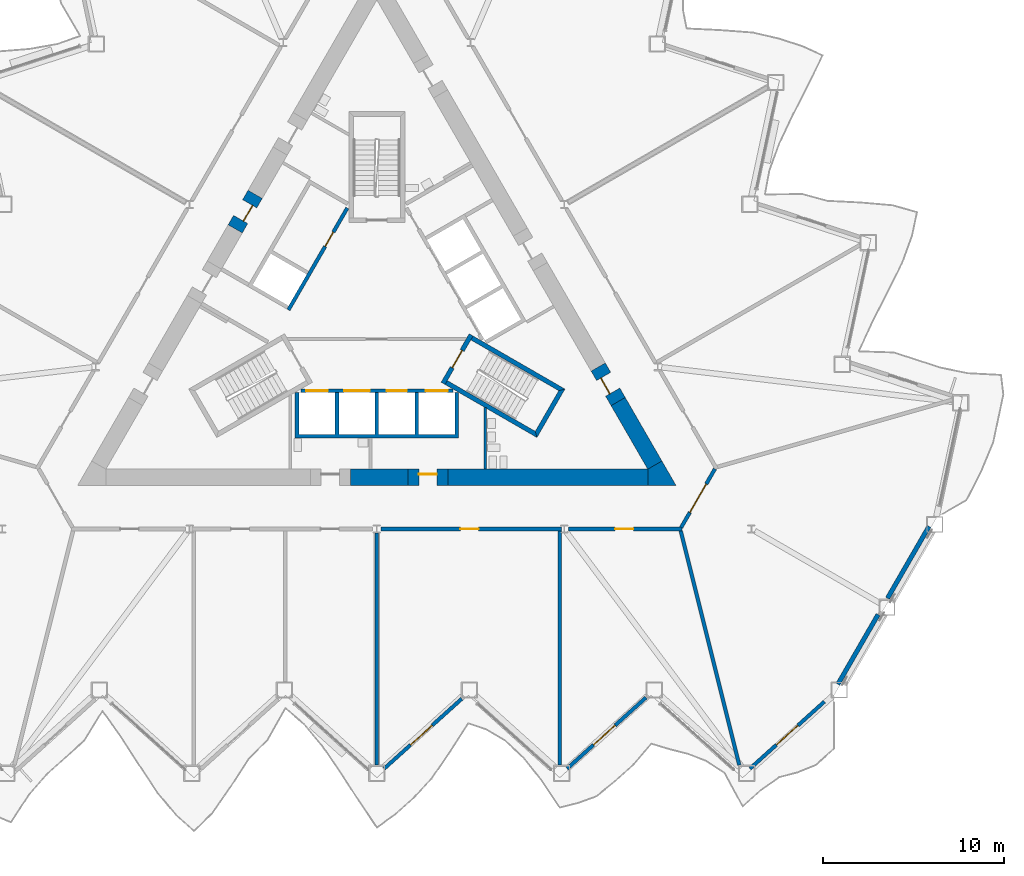
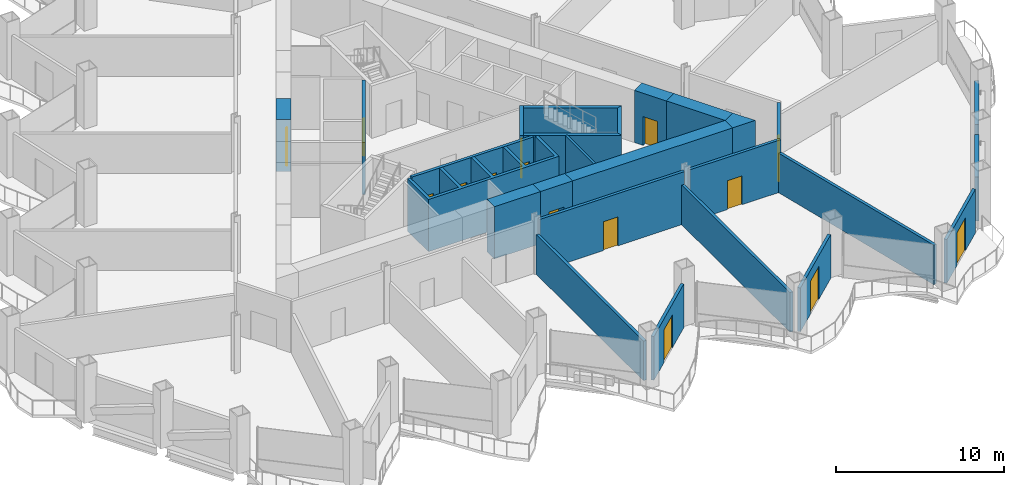
# One storey, part 11 of 21: 26 walls, 15 doors, 15 openings.
"""IFC4 building model written with IfcOpenShell, lengths in metres."""

from ifc_helpers import new_model, si_unit, direction, frame, frame_2d, origin, place, context, subcontext, project, spatial, polyline, rectangle, outline, extrude, material, layer, layer_set, type_object, element, fill, save


model = new_model("IFC4")

# Units and contexts
model_context = context("Model", 3, precision=1e-05, world=origin(), true_north=direction((0.0, 1.0)))
body_context = subcontext(model_context, "Body", "Model", "MODEL_VIEW")
ifc_project = project(units=[si_unit("LENGTHUNIT", "METRE"), si_unit("AREAUNIT", "SQUARE_METRE"), si_unit("VOLUMEUNIT", "CUBIC_METRE"), si_unit("PLANEANGLEUNIT", "RADIAN"), si_unit("MASSUNIT", "GRAM", prefix="KILO")], contexts=[model_context])

# Site, building, storey
site_placement = place(None, origin())
site = spatial("IfcSite", under=ifc_project, at=site_placement, CompositionType="ELEMENT")
building_placement = place(site_placement, origin())
building = spatial("IfcBuilding", under=site, at=building_placement, Name="Cormorant Prow Tower", CompositionType="ELEMENT")
storey_placement = place(building_placement, frame((0.0, 0.0, 133.199951171875)))
storey = spatial("IfcBuildingStorey", under=building, at=storey_placement, Name="L28", CompositionType="ELEMENT", Elevation=133.199951171875)

# Walls
ifc_material_1 = material(Name="Gypsum board partition")
ifc_layer_1 = layer(ifc_material_1, 0.14990234375)
ifc_layer_set_1 = layer_set([ifc_layer_1], Name="Gypsum board partition")
wall_type_1 = type_object("IfcWallType", Name="Core partition 150", PredefinedType="PARTITIONING", material=ifc_layer_set_1)
wall_1_placement = place(storey_placement, frame((5.9765625, -8.626220703125, 0.0), z_axis=(0.0, 0.0, 1.0), x_axis=(0.0, 1.0, 0.0)))
element("IfcWall", 1, at=wall_1_placement, inside=storey, type_object=wall_type_1, Name="Service room partition", PredefinedType="PARTITIONING", context=body_context, shape_type="SweptSolid", body=[
    extrude(rectangle(XDim=3.40283203125, YDim=0.14990234375, at=frame_2d((1.701416015625, 0.0))), origin(), (0.0, 0.0, 1.0), 3.800048828125),
])
ifc_material_2 = material(Name="Concrete 8000 psi", Category="concrete")
ifc_layer_2 = layer(ifc_material_2, 0.89990234375)
ifc_layer_set_2 = layer_set([ifc_layer_2], Name="Concrete 8000 psi")
wall_type_2 = type_object("IfcWallType", Name="Core shear wall 900", PredefinedType="SHEAR", material=ifc_layer_set_2)
wall_2_placement = place(storey_placement, frame((3.91259765625, -9.076416015625, 0.0), z_axis=(0.0, 0.0, 1.0), x_axis=(1.0, 0.0, 0.0)))
element("IfcWall", 2, at=wall_2_placement, inside=storey, type_object=wall_type_2, Name="Core wall", PredefinedType="SHEAR", context=body_context, shape_type="SweptSolid", body=[
    extrude(rectangle(XDim=11.028564453125, YDim=0.89990234375, at=frame_2d((5.51416015625, 0.0))), origin(), (0.0, 0.0, 1.0), 3.800048828125),
])
wall_3_placement = place(storey_placement, frame((-1.466064453125, -9.076416015625, 0.0), z_axis=(0.0, 0.0, 1.0), x_axis=(1.0, 0.0, 0.0)))
element("IfcWall", 3, at=wall_3_placement, inside=storey, type_object=wall_type_2, Name="Core wall", PredefinedType="SHEAR", context=body_context, shape_type="SweptSolid", body=[
    extrude(rectangle(XDim=3.1787109375, YDim=0.89990234375, at=frame_2d((1.58935546875, 0.0))), origin(), (0.0, 0.0, 1.0), 3.800048828125),
])
wall_4_placement = place(storey_placement, frame((15.330810546875, -8.4013671875, 0.0), z_axis=(0.0, 0.0, 1.0), x_axis=(-0.499974938593, 0.866039872511, 0.0)))
element("IfcWall", 4, at=wall_4_placement, inside=storey, type_object=wall_type_2, Name="Core wall", PredefinedType="SHEAR", context=body_context, shape_type="SweptSolid", body=[
    extrude(rectangle(XDim=4.045654296875, YDim=0.89990234375, at=frame_2d((2.02294921875, 0.0))), origin(), (0.0, 0.0, 1.0), 3.800048828125),
])
wall_5_placement = place(storey_placement, origin())
element("IfcWall", 5, at=wall_5_placement, inside=storey, type_object=wall_type_2, Name="Core wall corner", PredefinedType="SHEAR", context=body_context, shape_type="SweptSolid", body=[
    extrude(outline(polyline([(14.941162109375, -8.626220703125), (15.720703125, -8.17626953125), (16.5, -9.5263671875), (14.941162109375, -9.5263671875), (14.941162109375, -8.626220703125)])), origin(), (0.0, 0.0, 1.0), 3.800048828125),
])

# Wall, opening, door
wall_6_placement = place(storey_placement, frame((1.712646484375, -9.076416015625, 0.0), z_axis=(0.0, 0.0, 1.0), x_axis=(1.0, 0.0, 0.0)))
wall_6 = element("IfcWall", 6, at=wall_6_placement, inside=storey, type_object=wall_type_2, Name="Core wall door panel", PredefinedType="SHEAR", context=body_context, shape_type="SweptSolid", body=[
    extrude(rectangle(XDim=2.199951171875, YDim=0.89990234375, at=frame_2d((1.10009765625, 0.0))), origin(), (0.0, 0.0, 1.0), 3.800048828125),
])
opening_1_placement = place(wall_6_placement, frame((0.60009765625, 0.0, 0.0)))
opening_1 = element("IfcOpeningElement", 7, at=opening_1_placement, cuts=wall_6, Name="Opening L28-C15", PredefinedType="OPENING", context=body_context, shape_type="SweptSolid", body=[
    extrude(rectangle(XDim=1.0, YDim=2.10009765625, at=frame_2d((0.5, 1.050048828125))), frame((0.0, 0.4599609375, 0.0), z_axis=(0.0, -1.0, 0.0), x_axis=(1.0, 0.0, 0.0)), (0.0, 0.0, 1.0), 0.919921875),
])
ifc_material_3 = material(Name="Painted steel", Category="steel")
door_type_1 = type_object("IfcDoorType", Name="Service door 1000x2100", OperationType="NOTDEFINED", PredefinedType="DOOR", material=ifc_material_3)
door_1_placement = place(opening_1_placement, origin())
door_1 = element("IfcDoor", 8, at=door_1_placement, inside=storey, type_object=door_type_1, Name="Core door, Electrical room", OperationType="SINGLE_SWING_LEFT", OverallHeight=2.10009765625, OverallWidth=1.0, PredefinedType="DOOR", context=body_context, shape_type="SweptSolid", body=[
    extrude(rectangle(XDim=1.0, YDim=2.10009765625, at=frame_2d((0.5, 1.050048828125))), frame((0.0, 0.205078125, 0.0), z_axis=(0.0, -1.0, 0.0), x_axis=(1.0, 0.0, 0.0)), (0.0, 0.0, 1.0), 0.050048828125),
])
fill(opening_1, door_1)

wall_7_placement = place(storey_placement, frame((13.30810546875, -4.897705078125, 0.0), z_axis=(0.0, 0.0, 1.0), x_axis=(-0.50002983664, 0.866008176907, 0.0)))
wall_7 = element("IfcWall", 9, at=wall_7_placement, inside=storey, type_object=wall_type_2, Name="Core wall door panel", PredefinedType="SHEAR", context=body_context, shape_type="SweptSolid", body=[
    extrude(rectangle(XDim=2.199951171875, YDim=0.89990234375, at=frame_2d((1.10009765625, 0.0))), origin(), (0.0, 0.0, 1.0), 3.800048828125),
])
opening_2_placement = place(wall_7_placement, frame((0.60009765625, 0.0, 0.0)))
opening_2 = element("IfcOpeningElement", 10, at=opening_2_placement, cuts=wall_7, Name="Opening L28-C17", PredefinedType="OPENING", context=body_context, shape_type="SweptSolid", body=[
    extrude(rectangle(XDim=1.0, YDim=2.10009765625, at=frame_2d((0.5, 1.050048828125))), frame((0.0, 0.4599609375, 0.0), z_axis=(0.0, -1.0, 0.0), x_axis=(1.0, 0.0, 0.0)), (0.0, 0.0, 1.0), 0.919921875),
])
door_2_placement = place(opening_2_placement, origin())
door_2 = element("IfcDoor", 11, at=door_2_placement, inside=storey, type_object=door_type_1, Name="Core door, Toilets (women) L28", OperationType="SINGLE_SWING_LEFT", OverallHeight=2.10009765625, OverallWidth=1.0, PredefinedType="DOOR", context=body_context, shape_type="SweptSolid", body=[
    extrude(rectangle(XDim=1.0, YDim=2.10009765625, at=frame_2d((0.5, 1.050048828125))), frame((0.0, 0.205078125, 0.0), z_axis=(0.0, -1.0, 0.0), x_axis=(1.0, 0.0, 0.0)), (0.0, 0.0, 1.0), 0.050048828125),
])
fill(opening_2, door_2)

wall_8_placement = place(storey_placement, frame((-6.710205078125, 6.530029296875, 0.0), z_axis=(0.0, 0.0, 1.0), x_axis=(-0.50002983664, -0.866008176907, 0.0)))
wall_8 = element("IfcWall", 12, at=wall_8_placement, inside=storey, type_object=wall_type_2, Name="Core wall door panel", PredefinedType="SHEAR", context=body_context, shape_type="SweptSolid", body=[
    extrude(rectangle(XDim=2.199951171875, YDim=0.89990234375, at=frame_2d((1.10009765625, 0.0))), origin(), (0.0, 0.0, 1.0), 3.800048828125),
])
opening_3_placement = place(wall_8_placement, frame((0.60009765625, 0.0, 0.0)))
opening_3 = element("IfcOpeningElement", 13, at=opening_3_placement, cuts=wall_8, Name="Opening L28-C19", PredefinedType="OPENING", context=body_context, shape_type="SweptSolid", body=[
    extrude(rectangle(XDim=1.0, YDim=2.10009765625, at=frame_2d((0.5, 1.050048828125))), frame((0.0, 0.4599609375, 0.0), z_axis=(0.0, -1.0, 0.0), x_axis=(1.0, 0.0, 0.0)), (0.0, 0.0, 1.0), 0.919921875),
])
door_3_placement = place(opening_3_placement, origin())
door_3 = element("IfcDoor", 14, at=door_3_placement, inside=storey, type_object=door_type_1, Name="Core door, Electrical room", OperationType="SINGLE_SWING_RIGHT", OverallHeight=2.10009765625, OverallWidth=1.0, PredefinedType="DOOR", context=body_context, shape_type="SweptSolid", body=[
    extrude(rectangle(XDim=1.0, YDim=2.10009765625, at=frame_2d((0.5, 1.050048828125))), frame((0.0, 0.205078125, 0.0), z_axis=(0.0, -1.0, 0.0), x_axis=(1.0, 0.0, 0.0)), (0.0, 0.0, 1.0), 0.050048828125),
])
fill(opening_3, door_3)

ifc_material_4 = material(Name="Gypsum board corridor wall")
ifc_layer_3 = layer(ifc_material_4, 0.199951171875)
ifc_layer_set_3 = layer_set([ifc_layer_3], Name="Gypsum board corridor wall")
wall_type_3 = type_object("IfcWallType", Name="Corridor wall 200", PredefinedType="PARTITIONING", material=ifc_layer_set_3)
wall_9_placement = place(storey_placement, frame((0.227294921875, -11.92626953125, 0.0), z_axis=(0.0, 0.0, 1.0), x_axis=(1.0, 0.0, 0.0)))
wall_9 = element("IfcWall", 15, at=wall_9_placement, inside=storey, type_object=wall_type_3, Name="Corridor wall", PredefinedType="PARTITIONING", context=body_context, shape_type="SweptSolid", body=[
    extrude(rectangle(XDim=9.969482421875, YDim=0.199951171875, at=frame_2d((4.98486328125, 0.0))), origin(), (0.0, 0.0, 1.0), 3.800048828125),
])
opening_4_placement = place(wall_9_placement, frame((4.3837890625, 0.0, 0.0)))
opening_4 = element("IfcOpeningElement", 16, at=opening_4_placement, cuts=wall_9, Name="Opening L28-F04", PredefinedType="OPENING", context=body_context, shape_type="SweptSolid", body=[
    extrude(rectangle(XDim=1.0, YDim=2.10009765625, at=frame_2d((0.5, 1.050048828125))), frame((0.0, 0.10986328125, 0.0), z_axis=(0.0, -1.0, 0.0), x_axis=(1.0, 0.0, 0.0)), (0.0, 0.0, 1.0), 0.219970703125),
])
ifc_material_5 = material(Name="Timber door leaf", Category="wood")
door_type_2 = type_object("IfcDoorType", Name="Office door 1000x2100", OperationType="NOTDEFINED", PredefinedType="DOOR", material=ifc_material_5)
door_4_placement = place(opening_4_placement, origin())
door_4 = element("IfcDoor", 17, at=door_4_placement, inside=storey, type_object=door_type_2, Name="Tenant suite door", OperationType="SINGLE_SWING_RIGHT", OverallHeight=2.10009765625, OverallWidth=1.0, PredefinedType="DOOR", context=body_context, shape_type="SweptSolid", body=[
    extrude(rectangle(XDim=1.0, YDim=2.10009765625, at=frame_2d((0.5, 1.050048828125))), frame((0.0, 0.02490234375, 0.0), z_axis=(0.0, -1.0, 0.0), x_axis=(1.0, 0.0, 0.0)), (0.0, 0.0, 1.0), 0.050048828125),
])
fill(opening_4, door_4)

wall_10_placement = place(storey_placement, frame((10.555908203125, -11.92626953125, 0.0), z_axis=(0.0, 0.0, 1.0), x_axis=(1.0, 0.0, 0.0)))
wall_10 = element("IfcWall", 18, at=wall_10_placement, inside=storey, type_object=wall_type_3, Name="Corridor wall", PredefinedType="PARTITIONING", context=body_context, shape_type="SweptSolid", body=[
    extrude(rectangle(XDim=6.27490234375, YDim=0.199951171875, at=frame_2d((3.137451171875, 0.0))), origin(), (0.0, 0.0, 1.0), 3.800048828125),
])
opening_5_placement = place(wall_10_placement, frame((2.586669921875, 0.0, 0.0)))
opening_5 = element("IfcOpeningElement", 19, at=opening_5_placement, cuts=wall_10, Name="Opening L28-F05", PredefinedType="OPENING", context=body_context, shape_type="SweptSolid", body=[
    extrude(rectangle(XDim=1.0, YDim=2.10009765625, at=frame_2d((0.5, 1.050048828125))), frame((0.0, 0.10986328125, 0.0), z_axis=(0.0, -1.0, 0.0), x_axis=(1.0, 0.0, 0.0)), (0.0, 0.0, 1.0), 0.219970703125),
])
door_5_placement = place(opening_5_placement, origin())
door_5 = element("IfcDoor", 20, at=door_5_placement, inside=storey, type_object=door_type_2, Name="Tenant suite door", OperationType="SINGLE_SWING_RIGHT", OverallHeight=2.10009765625, OverallWidth=1.0, PredefinedType="DOOR", context=body_context, shape_type="SweptSolid", body=[
    extrude(rectangle(XDim=1.0, YDim=2.10009765625, at=frame_2d((0.5, 1.050048828125))), frame((0.0, 0.02490234375, 0.0), z_axis=(0.0, -1.0, 0.0), x_axis=(1.0, 0.0, 0.0)), (0.0, 0.0, 1.0), 0.050048828125),
])
fill(opening_5, door_5)

wall_11_placement = place(storey_placement, frame((16.781005859375, -11.839599609375, 0.0), z_axis=(0.0, 0.0, 1.0), x_axis=(0.499958791762, 0.866049194065, 0.0)))
wall_11 = element("IfcWall", 21, at=wall_11_placement, inside=storey, type_object=wall_type_3, Name="Corridor wall", PredefinedType="PARTITIONING", context=body_context, shape_type="SweptSolid", body=[
    extrude(rectangle(XDim=3.725830078125, YDim=0.199951171875, at=frame_2d((1.86279296875, 0.0))), origin(), (0.0, 0.0, 1.0), 3.800048828125),
])
opening_6_placement = place(wall_11_placement, frame((0.962890625, 0.0, 0.0)))
opening_6 = element("IfcOpeningElement", 22, at=opening_6_placement, cuts=wall_11, Name="Opening L28-F06", PredefinedType="OPENING", context=body_context, shape_type="SweptSolid", body=[
    extrude(rectangle(XDim=1.800048828125, YDim=2.10009765625, at=frame_2d((0.89990234375, 1.050048828125))), frame((0.0, 0.10986328125, 0.0), z_axis=(0.0, -1.0, 0.0), x_axis=(1.0, 0.0, 0.0)), (0.0, 0.0, 1.0), 0.219970703125),
])
ifc_material_6 = material(Name="Timber door leaf", Category="wood")
door_type_3 = type_object("IfcDoorType", Name="Double door 1800x2100", OperationType="DOUBLE_DOOR_SINGLE_SWING", PredefinedType="DOOR", material=ifc_material_6)
door_6_placement = place(opening_6_placement, origin())
door_6 = element("IfcDoor", 23, at=door_6_placement, inside=storey, type_object=door_type_3, Name="Trading room door", OperationType="DOUBLE_DOOR_SINGLE_SWING", OverallHeight=2.10009765625, OverallWidth=1.800048828125, PredefinedType="DOOR", context=body_context, shape_type="SweptSolid", body=[
    extrude(rectangle(XDim=1.800048828125, YDim=2.10009765625, at=frame_2d((0.89990234375, 1.050048828125))), frame((0.0, 0.02490234375, 0.0), z_axis=(0.0, -1.0, 0.0), x_axis=(1.0, 0.0, 0.0)), (0.0, 0.0, 1.0), 0.050048828125),
])
fill(opening_6, door_6)

# Walls
ifc_material_7 = material(Name="Gypsum board demising wall")
ifc_layer_4 = layer(ifc_material_7, 0.199951171875)
ifc_layer_set_4 = layer_set([ifc_layer_4], Name="Gypsum board demising wall")
wall_type_4 = type_object("IfcWallType", Name="Demising wall 200", PredefinedType="PARTITIONING", material=ifc_layer_set_4)
wall_12_placement = place(storey_placement, frame((16.755126953125, -12.023193359375, 0.0), z_axis=(0.0, 0.0, 1.0), x_axis=(0.242708204495, -0.97009933897, 0.0)))
element("IfcWall", 24, at=wall_12_placement, inside=storey, type_object=wall_type_4, Name="Demising wall", PredefinedType="PARTITIONING", context=body_context, shape_type="SweptSolid", body=[
    extrude(rectangle(XDim=13.314208984375, YDim=0.199951171875, at=frame_2d((6.6572265625, 0.0))), origin(), (0.0, 0.0, 1.0), 2.88525390625),
])
wall_13_placement = place(storey_placement, frame((10.0869140625, -24.939208984375, 0.0), z_axis=(0.0, 0.0, 1.0), x_axis=(0.0, 1.0, 0.0)))
element("IfcWall", 25, at=wall_13_placement, inside=storey, type_object=wall_type_4, Name="Demising wall", PredefinedType="PARTITIONING", context=body_context, shape_type="SweptSolid", body=[
    extrude(rectangle(XDim=12.912841796875, YDim=0.199951171875, at=frame_2d((6.45654296875, 0.0))), origin(), (0.0, 0.0, 1.0), 2.88525390625),
])
wall_14_placement = place(storey_placement, frame((0.0, -24.939208984375, 0.0), z_axis=(0.0, 0.0, 1.0), x_axis=(0.0, 1.0, 0.0)))
element("IfcWall", 26, at=wall_14_placement, inside=storey, type_object=wall_type_4, Name="Demising wall", PredefinedType="PARTITIONING", context=body_context, shape_type="SweptSolid", body=[
    extrude(rectangle(XDim=12.785400390625, YDim=0.199951171875, at=frame_2d((6.392578125, 0.0))), origin(), (0.0, 0.0, 1.0), 2.88525390625),
])

# Wall, openings, doors
ifc_material_8 = material(Name="Concrete 5000 psi", Category="concrete")
ifc_layer_5 = layer(ifc_material_8, 0.199951171875)
ifc_layer_set_5 = layer_set([ifc_layer_5], Name="Concrete 5000 psi")
wall_type_5 = type_object("IfcWallType", Name="Lift lobby wall 200", PredefinedType="SOLIDWALL", material=ifc_layer_set_5)
wall_15_placement = place(storey_placement, frame((-4.1865234375, -4.300048828125, 0.0), z_axis=(0.0, 0.0, 1.0), x_axis=(1.0, 0.0, 0.0)))
wall_15 = element("IfcWall", 27, at=wall_15_placement, inside=storey, type_object=wall_type_5, Name="Lift lobby wall, S block", PredefinedType="SOLIDWALL", context=body_context, shape_type="SweptSolid", body=[
    extrude(rectangle(XDim=8.373046875, YDim=0.199951171875, at=frame_2d((4.1865234375, 0.0))), origin(), (0.0, 0.0, 1.0), 3.800048828125),
])
opening_7_placement = place(wall_15_placement, frame((0.28662109375, 0.0, 0.0)))
opening_7 = element("IfcOpeningElement", 28, at=opening_7_placement, cuts=wall_15, Name="Opening L28-C01", PredefinedType="OPENING", context=body_context, shape_type="SweptSolid", body=[
    extrude(rectangle(XDim=1.199951171875, YDim=2.10009765625, at=frame_2d((0.60009765625, 1.050048828125))), frame((0.0, 0.10986328125, 0.0), z_axis=(0.0, -1.0, 0.0), x_axis=(1.0, 0.0, 0.0)), (0.0, 0.0, 1.0), 0.219970703125),
])
opening_8_placement = place(wall_15_placement, frame((2.38671875, 0.0, 0.0)))
opening_8 = element("IfcOpeningElement", 29, at=opening_8_placement, cuts=wall_15, Name="Opening L28-C02", PredefinedType="OPENING", context=body_context, shape_type="SweptSolid", body=[
    extrude(rectangle(XDim=1.39990234375, YDim=2.10009765625, at=frame_2d((0.699951171875, 1.050048828125))), frame((0.0, 0.10986328125, 0.0), z_axis=(0.0, -1.0, 0.0), x_axis=(1.0, 0.0, 0.0)), (0.0, 0.0, 1.0), 0.219970703125),
])
opening_9_placement = place(wall_15_placement, frame((4.736572265625, 0.0, 0.0)))
opening_9 = element("IfcOpeningElement", 30, at=opening_9_placement, cuts=wall_15, Name="Opening L28-C03", PredefinedType="OPENING", context=body_context, shape_type="SweptSolid", body=[
    extrude(rectangle(XDim=1.10009765625, YDim=2.10009765625, at=frame_2d((0.550048828125, 1.050048828125))), frame((0.0, 0.10986328125, 0.0), z_axis=(0.0, -1.0, 0.0), x_axis=(1.0, 0.0, 0.0)), (0.0, 0.0, 1.0), 0.219970703125),
])
opening_10_placement = place(wall_15_placement, frame((6.88671875, 0.0, 0.0)))
opening_10 = element("IfcOpeningElement", 31, at=opening_10_placement, cuts=wall_15, Name="Opening L28-C04", PredefinedType="OPENING", context=body_context, shape_type="SweptSolid", body=[
    extrude(rectangle(XDim=1.199951171875, YDim=2.10009765625, at=frame_2d((0.60009765625, 1.050048828125))), frame((0.0, 0.10986328125, 0.0), z_axis=(0.0, -1.0, 0.0), x_axis=(1.0, 0.0, 0.0)), (0.0, 0.0, 1.0), 0.219970703125),
])
ifc_material_9 = material(Name="Painted steel", Category="steel")
door_type_4 = type_object("IfcDoorType", Name="Firefighting lift landing door 1200x2100", OperationType="SLIDING_TO_LEFT", PredefinedType="DOOR", material=ifc_material_9)
door_7_placement = place(opening_7_placement, origin())
door_7 = element("IfcDoor", 32, at=door_7_placement, inside=storey, type_object=door_type_4, Name="Landing door FL1", OperationType="SLIDING_TO_LEFT", OverallHeight=2.10009765625, OverallWidth=1.199951171875, PredefinedType="DOOR", context=body_context, shape_type="SweptSolid", body=[
    extrude(rectangle(XDim=1.199951171875, YDim=2.10009765625, at=frame_2d((0.60009765625, 1.050048828125))), frame((0.0, 0.02490234375, 0.0), z_axis=(0.0, -1.0, 0.0), x_axis=(1.0, 0.0, 0.0)), (0.0, 0.0, 1.0), 0.050048828125),
])
fill(opening_7, door_7)
door_8_placement = place(opening_10_placement, origin())
door_8 = element("IfcDoor", 33, at=door_8_placement, inside=storey, type_object=door_type_4, Name="Landing door FL2", OperationType="SLIDING_TO_LEFT", OverallHeight=2.10009765625, OverallWidth=1.199951171875, PredefinedType="DOOR", context=body_context, shape_type="SweptSolid", body=[
    extrude(rectangle(XDim=1.199951171875, YDim=2.10009765625, at=frame_2d((0.60009765625, 1.050048828125))), frame((0.0, 0.02490234375, 0.0), z_axis=(0.0, -1.0, 0.0), x_axis=(1.0, 0.0, 0.0)), (0.0, 0.0, 1.0), 0.050048828125),
])
fill(opening_10, door_8)
ifc_material_10 = material(Name="Painted steel", Category="steel")
door_type_5 = type_object("IfcDoorType", Name="Lift landing door 1100x2100", OperationType="SLIDING_TO_LEFT", PredefinedType="DOOR", material=ifc_material_10)
door_9_placement = place(opening_9_placement, origin())
door_9 = element("IfcDoor", 34, at=door_9_placement, inside=storey, type_object=door_type_5, Name="Landing door LR1", OperationType="SLIDING_TO_LEFT", OverallHeight=2.10009765625, OverallWidth=1.10009765625, PredefinedType="DOOR", context=body_context, shape_type="SweptSolid", body=[
    extrude(rectangle(XDim=1.10009765625, YDim=2.10009765625, at=frame_2d((0.550048828125, 1.050048828125))), frame((0.0, 0.02490234375, 0.0), z_axis=(0.0, -1.0, 0.0), x_axis=(1.0, 0.0, 0.0)), (0.0, 0.0, 1.0), 0.050048828125),
])
fill(opening_9, door_9)
ifc_material_11 = material(Name="Painted steel", Category="steel")
door_type_6 = type_object("IfcDoorType", Name="Service lift landing door 1400x2100", OperationType="SLIDING_TO_LEFT", PredefinedType="DOOR", material=ifc_material_11)
door_10_placement = place(opening_8_placement, origin())
door_10 = element("IfcDoor", 35, at=door_10_placement, inside=storey, type_object=door_type_6, Name="Landing door SL1", OperationType="SLIDING_TO_LEFT", OverallHeight=2.10009765625, OverallWidth=1.39990234375, PredefinedType="DOOR", context=body_context, shape_type="SweptSolid", body=[
    extrude(rectangle(XDim=1.39990234375, YDim=2.10009765625, at=frame_2d((0.699951171875, 1.050048828125))), frame((0.0, 0.02490234375, 0.0), z_axis=(0.0, -1.0, 0.0), x_axis=(1.0, 0.0, 0.0)), (0.0, 0.0, 1.0), 0.050048828125),
])
fill(opening_8, door_10)

# Wall, opening, door
wall_16_placement = place(storey_placement, frame((-1.630615234375, 5.775634765625, 0.0), z_axis=(0.0, 0.0, 1.0), x_axis=(-0.499992876559, -0.866029516466, 0.0)))
wall_16 = element("IfcWall", 36, at=wall_16_placement, inside=storey, type_object=wall_type_5, Name="Lift lobby wall, WNW block", PredefinedType="SOLIDWALL", context=body_context, shape_type="SweptSolid", body=[
    extrude(rectangle(XDim=6.486328125, YDim=0.199951171875, at=frame_2d((3.2431640625, 0.0))), origin(), (0.0, 0.0, 1.0), 3.800048828125),
])
opening_11_placement = place(wall_16_placement, frame((1.53662109375, 0.0, 0.0)))
opening_11 = element("IfcOpeningElement", 37, at=opening_11_placement, cuts=wall_16, Name="Opening L28-C09", PredefinedType="OPENING", context=body_context, shape_type="SweptSolid", body=[
    extrude(rectangle(XDim=0.89990234375, YDim=2.10009765625, at=frame_2d((0.449951171875, 1.050048828125))), frame((0.0, 0.10986328125, 0.0), z_axis=(0.0, -1.0, 0.0), x_axis=(1.0, 0.0, 0.0)), (0.0, 0.0, 1.0), 0.219970703125),
])
ifc_material_12 = material(Name="Painted steel", Category="steel")
door_type_7 = type_object("IfcDoorType", Name="Service door 900x2100", OperationType="NOTDEFINED", PredefinedType="DOOR", material=ifc_material_12)
door_11_placement = place(opening_11_placement, origin())
door_11 = element("IfcDoor", 38, at=door_11_placement, inside=storey, type_object=door_type_7, Name="Service door, Pantry store", OperationType="SINGLE_SWING_LEFT", OverallHeight=2.10009765625, OverallWidth=0.89990234375, PredefinedType="DOOR", context=body_context, shape_type="SweptSolid", body=[
    extrude(rectangle(XDim=0.89990234375, YDim=2.10009765625, at=frame_2d((0.449951171875, 1.050048828125))), frame((0.0, 0.02490234375, 0.0), z_axis=(0.0, -1.0, 0.0), x_axis=(1.0, 0.0, 0.0)), (0.0, 0.0, 1.0), 0.050048828125),
])
fill(opening_11, door_11)

# Walls
ifc_material_13 = material(Name="Concrete 8000 psi", Category="concrete")
ifc_layer_6 = layer(ifc_material_13, 0.199951171875)
ifc_layer_set_6 = layer_set([ifc_layer_6], Name="Concrete 8000 psi")
wall_type_6 = type_object("IfcWallType", Name="Lift shaft wall 200", PredefinedType="SHEAR", material=ifc_layer_set_6)
wall_17_placement = place(storey_placement, origin())
element("IfcWall", 39, at=wall_17_placement, inside=storey, type_object=wall_type_6, Name="Lift shaft walls, S block", PredefinedType="SHEAR", context=body_context, shape_type="SweptSolid", body=[
    extrude(outline(polyline([(4.5, -4.39990234375), (4.5, -6.906005859375), (-4.5, -6.906005859375), (-4.5, -4.39990234375), (-4.300048828125, -4.39990234375), (-4.300048828125, -6.699951171875), (-2.300048828125, -6.699951171875), (-2.300048828125, -4.39990234375), (-2.10009765625, -4.39990234375), (-2.10009765625, -6.699951171875), (-0.10009765625, -6.699951171875), (-0.10009765625, -4.39990234375), (0.10009765625, -4.39990234375), (0.10009765625, -6.699951171875), (2.10009765625, -6.699951171875), (2.10009765625, -4.39990234375), (2.300048828125, -4.39990234375), (2.300048828125, -6.699951171875), (4.300048828125, -6.699951171875), (4.300048828125, -4.39990234375), (4.5, -4.39990234375)])), origin(), (0.0, 0.0, 1.0), 3.800048828125),
])
ifc_material_14 = material(Name="Concrete 8000 psi", Category="concrete")
ifc_layer_7 = layer(ifc_material_14, 0.25)
ifc_layer_set_7 = layer_set([ifc_layer_7], Name="Concrete 8000 psi")
wall_type_7 = type_object("IfcWallType", Name="Stair wall 250", PredefinedType="SHEAR", material=ifc_layer_set_7)
wall_18_placement = place(storey_placement, origin())
element("IfcWall", 40, at=wall_18_placement, inside=storey, type_object=wall_type_7, Name="Stair ST2 enclosure wall (flank)", PredefinedType="SHEAR", context=body_context, shape_type="SweptSolid", body=[
    extrude(outline(polyline([(3.76318359375, -3.95556640625), (8.82958984375, -6.880615234375), (8.738037109375, -6.5390625), (3.88818359375, -3.739013671875), (3.76318359375, -3.95556640625)])), origin(), (0.0, 0.0, 1.0), 3.800048828125),
])
wall_19_placement = place(storey_placement, origin())
element("IfcWall", 41, at=wall_19_placement, inside=storey, type_object=wall_type_7, Name="Stair ST2 enclosure wall (end)", PredefinedType="SHEAR", context=body_context, shape_type="SweptSolid", body=[
    extrude(outline(polyline([(8.82958984375, -6.880615234375), (10.37353515625, -4.206298828125), (10.031982421875, -4.2978515625), (8.738037109375, -6.5390625), (8.82958984375, -6.880615234375)])), origin(), (0.0, 0.0, 1.0), 3.800048828125),
])
wall_20_placement = place(storey_placement, origin())
element("IfcWall", 42, at=wall_20_placement, inside=storey, type_object=wall_type_7, Name="Stair ST2 enclosure wall (flank)", PredefinedType="SHEAR", context=body_context, shape_type="SweptSolid", body=[
    extrude(outline(polyline([(10.031982421875, -4.2978515625), (10.37353515625, -4.206298828125), (5.30712890625, -1.28125), (5.18212890625, -1.497802734375), (10.031982421875, -4.2978515625)])), origin(), (0.0, 0.0, 1.0), 3.800048828125),
])

# Wall, opening, door
wall_21_placement = place(storey_placement, frame((3.655029296875, -3.89306640625, 0.0), z_axis=(0.0, 0.0, 1.0), x_axis=(0.499982516597, 0.866035497597, 0.0)))
wall_21 = element("IfcWall", 43, at=wall_21_placement, inside=storey, type_object=wall_type_7, Name="Stair ST2 door wall", PredefinedType="SHEAR", context=body_context, shape_type="SweptSolid", body=[
    extrude(rectangle(XDim=3.087890625, YDim=0.25, at=frame_2d((1.5439453125, 0.0))), origin(), (0.0, 0.0, 1.0), 3.800048828125),
])
opening_12_placement = place(wall_21_placement, frame((0.993896484375, 0.0, 0.0)))
opening_12 = element("IfcOpeningElement", 44, at=opening_12_placement, cuts=wall_21, Name="Opening L28-C12", PredefinedType="OPENING", context=body_context, shape_type="SweptSolid", body=[
    extrude(rectangle(XDim=1.10009765625, YDim=2.10009765625, at=frame_2d((0.550048828125, 1.050048828125))), frame((0.0, 0.135009765625, 0.0), z_axis=(0.0, -1.0, 0.0), x_axis=(1.0, 0.0, 0.0)), (0.0, 0.0, 1.0), 0.27001953125),
])
ifc_material_15 = material(Name="Painted steel", Category="steel")
door_type_8 = type_object("IfcDoorType", Name="Stair door 1100x2100", OperationType="NOTDEFINED", PredefinedType="DOOR", material=ifc_material_15)
door_12_placement = place(opening_12_placement, origin())
door_12 = element("IfcDoor", 45, at=door_12_placement, inside=storey, type_object=door_type_8, Name="Stair ST2 door", OperationType="SINGLE_SWING_RIGHT", OverallHeight=2.10009765625, OverallWidth=1.10009765625, PredefinedType="DOOR", context=body_context, shape_type="SweptSolid", body=[
    extrude(rectangle(XDim=1.10009765625, YDim=2.10009765625, at=frame_2d((0.550048828125, 1.050048828125))), frame((0.0, 0.02490234375, 0.0), z_axis=(0.0, -1.0, 0.0), x_axis=(1.0, 0.0, 0.0)), (0.0, 0.0, 1.0), 0.050048828125),
])
fill(opening_12, door_12)

# Walls
ifc_material_16 = material(Name="Terracotta", Category="masonry")
ifc_layer_8 = layer(ifc_material_16, 0.25)
ifc_layer_set_8 = layer_set([ifc_layer_8], Name="Terracotta")
wall_type_8 = type_object("IfcWallType", Name="Terracotta bay wall 250", PredefinedType="SOLIDWALL", material=ifc_layer_set_8)
wall_22_placement = place(storey_placement, frame((25.4267578125, -20.482666015625, 0.0), z_axis=(0.0, 0.0, 1.0), x_axis=(0.499968989506, 0.866043306961, 0.0)))
element("IfcWall", 46, at=wall_22_placement, inside=storey, type_object=wall_type_8, Name="Terracotta bay wall ESE00", PredefinedType="SOLIDWALL", context=body_context, shape_type="SweptSolid", body=[
    extrude(rectangle(XDim=4.428955078125, YDim=0.25, at=frame_2d((2.21435546875, 0.0))), origin(), (0.0, 0.0, 1.0), 3.18896484375),
])
wall_23_placement = place(storey_placement, frame((28.162841796875, -15.743408203125, 0.0), z_axis=(0.0, 0.0, 1.0), x_axis=(0.500016357846, 0.866015959371, 0.0)))
element("IfcWall", 47, at=wall_23_placement, inside=storey, type_object=wall_type_8, Name="Terracotta bay wall ESE01", PredefinedType="SOLIDWALL", context=body_context, shape_type="SweptSolid", body=[
    extrude(rectangle(XDim=4.577880859375, YDim=0.25, at=frame_2d((2.2890625, 0.0))), origin(), (0.0, 0.0, 1.0), 3.18896484375),
])

# Wall, opening, door
ifc_material_17 = material(Name="Terracotta", Category="masonry")
ifc_layer_9 = layer(ifc_material_17, 0.199951171875)
ifc_layer_set_9 = layer_set([ifc_layer_9], Name="Terracotta")
wall_type_9 = type_object("IfcWallType", Name="Terracotta jamb wall 200", PredefinedType="SOLIDWALL", material=ifc_layer_set_9)
wall_24_placement = place(storey_placement, frame((0.40576171875, -25.13720703125, 0.0), z_axis=(0.0, 0.0, 1.0), x_axis=(0.743135897471, 0.669140521782, 0.0)))
wall_24 = element("IfcWall", 48, at=wall_24_placement, inside=storey, type_object=wall_type_9, Name="Terracotta jamb wall S05", PredefinedType="SOLIDWALL", context=body_context, shape_type="SweptSolid", body=[
    extrude(rectangle(XDim=5.754150390625, YDim=0.199951171875, at=frame_2d((2.876953125, 0.0))), origin(), (0.0, 0.0, 1.0), 3.18896484375),
])
opening_13_placement = place(wall_24_placement, frame((1.957275390625, 0.0, 0.0)))
opening_13 = element("IfcOpeningElement", 49, at=opening_13_placement, cuts=wall_24, Name="Opening ED28.03", PredefinedType="OPENING", context=body_context, shape_type="SweptSolid", body=[
    extrude(rectangle(XDim=1.60009765625, YDim=2.39990234375, at=frame_2d((0.800048828125, 1.199951171875))), frame((0.0, 0.10986328125, 0.0), z_axis=(0.0, -1.0, 0.0), x_axis=(1.0, 0.0, 0.0)), (0.0, 0.0, 1.0), 0.219970703125),
])
ifc_material_18 = material(Name="Aluminium 6063-T6", Category="aluminium")
door_type_9 = type_object("IfcDoorType", Name="Balcony door 1600x2400", OperationType="DOUBLE_DOOR_SINGLE_SWING", PredefinedType="DOOR", material=ifc_material_18)
door_13_placement = place(opening_13_placement, origin())
door_13 = element("IfcDoor", 50, at=door_13_placement, inside=storey, type_object=door_type_9, Name="Balcony door S05 ED28.03", OperationType="DOUBLE_DOOR_SINGLE_SWING", OverallHeight=2.39990234375, OverallWidth=1.60009765625, PredefinedType="DOOR", context=body_context, shape_type="SweptSolid", body=[
    extrude(rectangle(XDim=1.60009765625, YDim=2.39990234375, at=frame_2d((0.800048828125, 1.199951171875))), frame((0.0, 0.02490234375, 0.0), z_axis=(0.0, -1.0, 0.0), x_axis=(1.0, 0.0, 0.0)), (0.0, 0.0, 1.0), 0.050048828125),
])
fill(opening_13, door_13)

wall_25_placement = place(storey_placement, frame((10.492431640625, -25.13720703125, 0.0), z_axis=(0.0, 0.0, 1.0), x_axis=(0.743136230799, 0.669140151593, 0.0)))
wall_25 = element("IfcWall", 51, at=wall_25_placement, inside=storey, type_object=wall_type_9, Name="Terracotta jamb wall S07", PredefinedType="SOLIDWALL", context=body_context, shape_type="SweptSolid", body=[
    extrude(rectangle(XDim=5.84326171875, YDim=0.199951171875, at=frame_2d((2.921630859375, 0.0))), origin(), (0.0, 0.0, 1.0), 3.18896484375),
])
opening_14_placement = place(wall_25_placement, frame((1.957275390625, 0.0, 0.0)))
opening_14 = element("IfcOpeningElement", 52, at=opening_14_placement, cuts=wall_25, Name="Opening ED28.04", PredefinedType="OPENING", context=body_context, shape_type="SweptSolid", body=[
    extrude(rectangle(XDim=1.60009765625, YDim=2.39990234375, at=frame_2d((0.800048828125, 1.199951171875))), frame((0.0, 0.10986328125, 0.0), z_axis=(0.0, -1.0, 0.0), x_axis=(1.0, 0.0, 0.0)), (0.0, 0.0, 1.0), 0.219970703125),
])
door_14_placement = place(opening_14_placement, origin())
door_14 = element("IfcDoor", 53, at=door_14_placement, inside=storey, type_object=door_type_9, Name="Balcony door S07 ED28.04", OperationType="DOUBLE_DOOR_SINGLE_SWING", OverallHeight=2.39990234375, OverallWidth=1.60009765625, PredefinedType="DOOR", context=body_context, shape_type="SweptSolid", body=[
    extrude(rectangle(XDim=1.60009765625, YDim=2.39990234375, at=frame_2d((0.800048828125, 1.199951171875))), frame((0.0, 0.02490234375, 0.0), z_axis=(0.0, -1.0, 0.0), x_axis=(1.0, 0.0, 0.0)), (0.0, 0.0, 1.0), 0.050048828125),
])
fill(opening_14, door_14)

wall_26_placement = place(storey_placement, frame((20.579345703125, -25.13720703125, 0.0), z_axis=(0.0, 0.0, 1.0), x_axis=(0.743148838472, 0.66912614945, 0.0)))
wall_26 = element("IfcWall", 54, at=wall_26_placement, inside=storey, type_object=wall_type_9, Name="Terracotta jamb wall S09", PredefinedType="SOLIDWALL", context=body_context, shape_type="SweptSolid", body=[
    extrude(rectangle(XDim=5.5146484375, YDim=0.199951171875, at=frame_2d((2.75732421875, 0.0))), origin(), (0.0, 0.0, 1.0), 3.18896484375),
])
opening_15_placement = place(wall_26_placement, frame((1.957275390625, 0.0, 0.0)))
opening_15 = element("IfcOpeningElement", 55, at=opening_15_placement, cuts=wall_26, Name="Opening ED28.05", PredefinedType="OPENING", context=body_context, shape_type="SweptSolid", body=[
    extrude(rectangle(XDim=1.60009765625, YDim=2.39990234375, at=frame_2d((0.800048828125, 1.199951171875))), frame((0.0, 0.10986328125, 0.0), z_axis=(0.0, -1.0, 0.0), x_axis=(1.0, 0.0, 0.0)), (0.0, 0.0, 1.0), 0.219970703125),
])
door_15_placement = place(opening_15_placement, origin())
door_15 = element("IfcDoor", 56, at=door_15_placement, inside=storey, type_object=door_type_9, Name="Balcony door S09 ED28.05", OperationType="DOUBLE_DOOR_SINGLE_SWING", OverallHeight=2.39990234375, OverallWidth=1.60009765625, PredefinedType="DOOR", context=body_context, shape_type="SweptSolid", body=[
    extrude(rectangle(XDim=1.60009765625, YDim=2.39990234375, at=frame_2d((0.800048828125, 1.199951171875))), frame((0.0, 0.02490234375, 0.0), z_axis=(0.0, -1.0, 0.0), x_axis=(1.0, 0.0, 0.0)), (0.0, 0.0, 1.0), 0.050048828125),
])
fill(opening_15, door_15)

save(model, "model.ifc")
